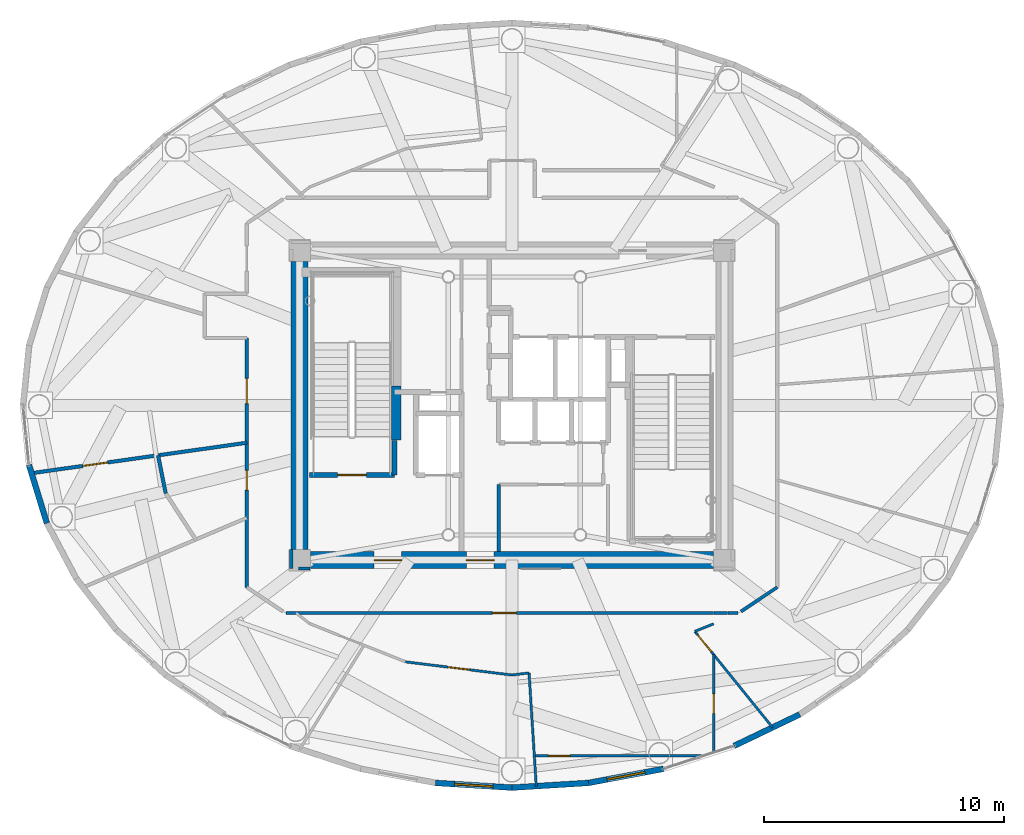
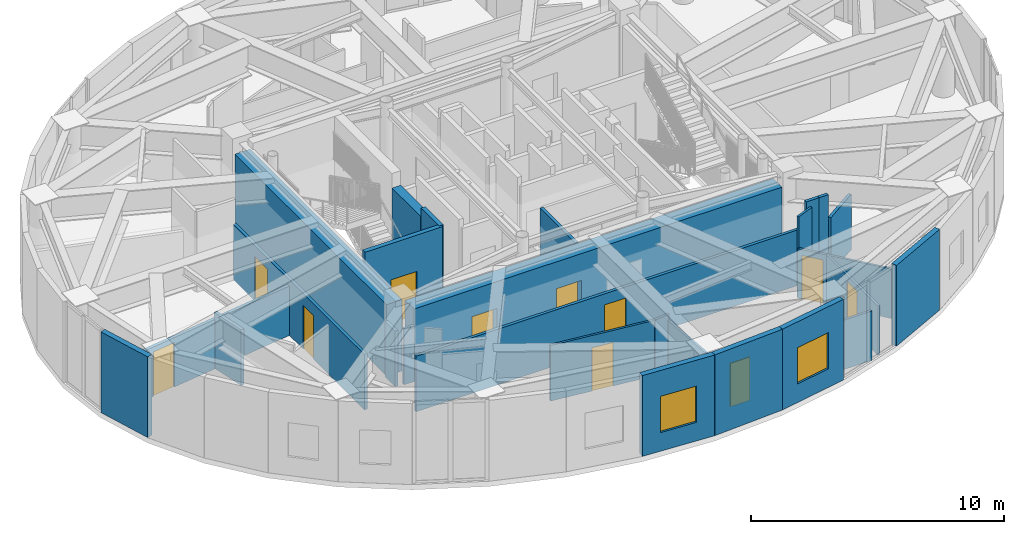
# One storey, part 14 of 23: 27 walls, 11 doors, 2 windows, 13 openings.
"""IFC4 building model written with IfcOpenShell, lengths in metres."""

from ifc_helpers import new_model, si_unit, direction, frame, frame_2d, origin, origin_2d, place, context, subcontext, project, spatial, rectangle, extrude, source, transform, mapped, material, layer, layer_set, type_object, element, fill, save


model = new_model("IFC4")

# Units and contexts
model_context = context("Model", 3, precision=1e-05, world=origin(), true_north=direction((0.0, 1.0)))
body_context = subcontext(model_context, "Body", "Model", "MODEL_VIEW")
ifc_project = project(units=[si_unit("LENGTHUNIT", "METRE"), si_unit("AREAUNIT", "SQUARE_METRE"), si_unit("VOLUMEUNIT", "CUBIC_METRE"), si_unit("PLANEANGLEUNIT", "RADIAN"), si_unit("MASSUNIT", "GRAM", prefix="KILO")], contexts=[model_context])

# Site, building, storey
site_placement = place(None, origin())
site = spatial("IfcSite", under=ifc_project, at=site_placement, CompositionType="ELEMENT")
building_placement = place(site_placement, origin())
building = spatial("IfcBuilding", under=site, at=building_placement, Name="Linh Dai School and Residence Tower", CompositionType="ELEMENT")
storey_placement = place(building_placement, frame((0.0, 0.0, 359.39990234375)))
storey = spatial("IfcBuildingStorey", under=building, at=storey_placement, Name="L89", CompositionType="ELEMENT", Elevation=359.39990234375)

# Wall
ifc_material_1 = material(Name="Precast Concrete B45 (C35/45)", Category="concrete")
ifc_layer_1 = layer(ifc_material_1, 0.239990234375)
ifc_layer_set_1 = layer_set([ifc_layer_1], Name="Precast Concrete B45 (C35/45)")
wall_type_1 = type_object("IfcWallType", Name="EW-TC-240", PredefinedType="SOLIDWALL", material=ifc_layer_set_1)
wall_1_placement = place(storey_placement, frame((16.618896484375, 22.086669921875, 0.0), z_axis=(0.0, 0.0, 1.0), x_axis=(-0.293105547213, 0.956080089842, 0.0)))
element("IfcWall", 1, at=wall_1_placement, inside=storey, type_object=wall_type_1, Name="L89 Terracotta Exterior Wall 22", PredefinedType="SOLIDWALL", context=body_context, shape_type="SweptSolid", body=[
    extrude(rectangle(XDim=2.5380859375, YDim=0.239990234375, at=frame_2d((1.26904296875, 0.0))), origin(), (0.0, 0.0, 1.0), 3.900146484375),
])

# Wall, opening, window
wall_2_placement = place(storey_placement, frame((36.0, 11.070068359375, 0.0), z_axis=(0.0, 0.0, 1.0), x_axis=(-0.998109204399, 0.061465568355, 0.0)))
wall_2 = element("IfcWall", 2, at=wall_2_placement, inside=storey, type_object=wall_type_1, Name="L89 Terracotta Exterior Wall 30", PredefinedType="SOLIDWALL", context=body_context, shape_type="SweptSolid", body=[
    extrude(rectangle(XDim=3.197509765625, YDim=0.239990234375, at=frame_2d((1.5986328125, 0.0))), origin(), (0.0, 0.0, 1.0), 3.900146484375),
])
opening_1_placement = place(wall_2_placement, frame((0.798828125, 0.0, 0.89990234375)))
opening_1 = element("IfcOpeningElement", 3, at=opening_1_placement, cuts=wall_2, Name="Opening W2", PredefinedType="OPENING", context=body_context, shape_type="SweptSolid", body=[
    extrude(rectangle(XDim=1.60009765625, YDim=1.75, at=origin_2d()), frame((0.800048828125, 0.1298828125, 0.875), z_axis=(0.0, -1.0, 0.0), x_axis=(1.0, 0.0, 0.0)), (0.0, 0.0, 1.0), 0.260009765625),
])
ifc_material_2 = material(Name="Double Low-E Insulated Glazing", Category="glass")
window_type = type_object("IfcWindowType", Name="WN-RES-1600x1750", PartitioningType="DOUBLE_PANEL_VERTICAL", PredefinedType="WINDOW", material=ifc_material_2)
shared_shape_1 = source(origin(), body_context, "Body", "SweptSolid", [
    extrude(rectangle(XDim=1.60009765625, YDim=1.75, at=origin_2d()), frame((0.800048828125, 0.030029296875, 0.875), z_axis=(0.0, -1.0, 0.0), x_axis=(1.0, 0.0, 0.0)), (0.0, 0.0, 1.0), 0.06005859375),
])
window_1_placement = place(opening_1_placement, origin())
window_1 = element("IfcWindow", 4, at=window_1_placement, inside=storey, type_object=window_type, Name="L89 Exterior Window 30.1", OverallHeight=1.75, OverallWidth=1.60009765625, PartitioningType="DOUBLE_PANEL_VERTICAL", PredefinedType="WINDOW", context=body_context, shape_type="MappedRepresentation", body=[
    mapped(shared_shape_1, transform((0.0, 0.0, 0.0), x_axis=(1.0, 0.0, 0.0), y_axis=(0.0, 1.0, 0.0), z_axis=(0.0, 0.0, 1.0), scale=1.0)),
])
fill(opening_1, window_1)

# Wall
wall_3_placement = place(storey_placement, frame((39.19140625, 11.2666015625, 0.0), z_axis=(0.0, 0.0, 1.0), x_axis=(-0.998109204399, -0.061465568355, 0.0)))
element("IfcWall", 5, at=wall_3_placement, inside=storey, type_object=wall_type_1, Name="L89 Terracotta Exterior Wall 31", PredefinedType="SOLIDWALL", context=body_context, shape_type="SweptSolid", body=[
    extrude(rectangle(XDim=3.197509765625, YDim=0.239990234375, at=frame_2d((1.5986328125, 0.0))), origin(), (0.0, 0.0, 1.0), 3.900146484375),
])

# Wall, opening, window
wall_4_placement = place(storey_placement, frame((42.303955078125, 11.85205078125, 0.0), z_axis=(0.0, 0.0, 1.0), x_axis=(-0.98276643264, -0.184851667226, 0.0)))
wall_4 = element("IfcWall", 6, at=wall_4_placement, inside=storey, type_object=wall_type_1, Name="L89 Terracotta Exterior Wall 32", PredefinedType="SOLIDWALL", context=body_context, shape_type="SweptSolid", body=[
    extrude(rectangle(XDim=3.167236328125, YDim=0.239990234375, at=frame_2d((1.58349609375, 0.0))), origin(), (0.0, 0.0, 1.0), 3.900146484375),
])
opening_2_placement = place(wall_4_placement, frame((0.78369140625, 0.0, 0.89990234375)))
opening_2 = element("IfcOpeningElement", 7, at=opening_2_placement, cuts=wall_4, Name="Opening W2", PredefinedType="OPENING", context=body_context, shape_type="SweptSolid", body=[
    extrude(rectangle(XDim=1.60009765625, YDim=1.75, at=origin_2d()), frame((0.800048828125, 0.1298828125, 0.875), z_axis=(0.0, -1.0, 0.0), x_axis=(1.0, 0.0, 0.0)), (0.0, 0.0, 1.0), 0.260009765625),
])
window_2_placement = place(opening_2_placement, origin())
window_2 = element("IfcWindow", 8, at=window_2_placement, inside=storey, type_object=window_type, Name="L89 Exterior Window 32.1", OverallHeight=1.75, OverallWidth=1.60009765625, PartitioningType="DOUBLE_PANEL_VERTICAL", PredefinedType="WINDOW", context=body_context, shape_type="MappedRepresentation", body=[
    mapped(shared_shape_1, transform((0.0, 0.0, 0.0), x_axis=(1.0, 0.0, 0.0), y_axis=(0.0, 1.0, 0.0), z_axis=(0.0, 0.0, 1.0), scale=1.0)),
])
fill(opening_2, window_2)

# Wall
wall_5_placement = place(storey_placement, frame((47.98779296875, 14.119873046875, 0.0), z_axis=(0.0, 0.0, 1.0), x_axis=(-0.901557057889, -0.432660226241, 0.0)))
element("IfcWall", 9, at=wall_5_placement, inside=storey, type_object=wall_type_1, Name="L89 Terracotta Exterior Wall 34", PredefinedType="SOLIDWALL", context=body_context, shape_type="SweptSolid", body=[
    extrude(rectangle(XDim=3.025146484375, YDim=0.239990234375, at=frame_2d((1.5126953125, 0.0))), origin(), (0.0, 0.0, 1.0), 3.900146484375),
])

# Wall, openings, doors
ifc_material_3 = material(Name="Autoclaved Aerated Concrete Blockwork", Category="masonry")
ifc_layer_2 = layer(ifc_material_3, 0.135009765625)
ifc_layer_set_2 = layer_set([ifc_layer_2], Name="Autoclaved Aerated Concrete Blockwork")
wall_type_2 = type_object("IfcWallType", Name="IW-CORR-135-EI90", PredefinedType="PARTITIONING", material=ifc_layer_set_2)
wall_6_placement = place(storey_placement, frame((24.949951171875, 19.41748046875, 0.0), z_axis=(0.0, 0.0, 1.0), x_axis=(0.0, 1.0, 0.0)))
wall_6 = element("IfcWall", 10, at=wall_6_placement, inside=storey, type_object=wall_type_2, Name="L89 Interior Partition Wall 010", PredefinedType="PARTITIONING", context=body_context, shape_type="SweptSolid", body=[
    extrude(rectangle(XDim=10.382568359375, YDim=0.135009765625, at=frame_2d((5.19140625, 0.0))), origin(), (0.0, 0.0, 1.0), 2.68505859375),
])
opening_3_placement = place(wall_6_placement, frame((7.6572265625, 0.0, 0.0)))
opening_3 = element("IfcOpeningElement", 11, at=opening_3_placement, cuts=wall_6, Name="Opening D04", PredefinedType="OPENING", context=body_context, shape_type="SweptSolid", body=[
    extrude(rectangle(XDim=1.050048828125, YDim=2.14990234375, at=origin_2d()), frame((0.52490234375, 0.07763671875, 1.074951171875), z_axis=(0.0, -1.0, 0.0), x_axis=(1.0, 0.0, 0.0)), (0.0, 0.0, 1.0), 0.155029296875),
])
opening_4_placement = place(wall_6_placement, frame((4.047119140625, 0.0, 0.0)))
opening_4 = element("IfcOpeningElement", 12, at=opening_4_placement, cuts=wall_6, Name="Opening D06", PredefinedType="OPENING", context=body_context, shape_type="SweptSolid", body=[
    extrude(rectangle(XDim=0.820068359375, YDim=2.10009765625, at=origin_2d()), frame((0.41015625, 0.07763671875, 1.050048828125), z_axis=(0.0, -1.0, 0.0), x_axis=(1.0, 0.0, 0.0)), (0.0, 0.0, 1.0), 0.155029296875),
])
ifc_material_4 = material(Name="Acoustic Vision-Panel Timber Classroom Door", Category="wood")
door_type_1 = type_object("IfcDoorType", Name="DR-SCH-1050x2150-FD60S", OperationType="NOTDEFINED", PredefinedType="DOOR", material=ifc_material_4)
shared_shape_2 = source(origin(), body_context, "Body", "SweptSolid", [
    extrude(rectangle(XDim=1.050048828125, YDim=2.14990234375, at=origin_2d()), frame((0.52490234375, 0.02490234375, 1.074951171875), z_axis=(0.0, -1.0, 0.0), x_axis=(1.0, 0.0, 0.0)), (0.0, 0.0, 1.0), 0.050048828125),
])
door_1_placement = place(opening_3_placement, origin())
door_1 = element("IfcDoor", 13, at=door_1_placement, inside=storey, type_object=door_type_1, Name="L89 Crown Sky Wintergarden Lounge Reading Room Door", OperationType="SINGLE_SWING_LEFT", OverallHeight=2.14990234375, OverallWidth=1.050048828125, PredefinedType="DOOR", context=body_context, shape_type="MappedRepresentation", body=[
    mapped(shared_shape_2, transform((0.0, 0.0, 0.0), x_axis=(1.0, 0.0, 0.0), y_axis=(0.0, 1.0, 0.0), z_axis=(0.0, 0.0, 1.0), scale=1.0)),
])
fill(opening_3, door_1)
ifc_material_5 = material(Name="Moisture-Resistant Timber Bathroom Door", Category="wood")
door_type_2 = type_object("IfcDoorType", Name="DR-WET-820x2100", OperationType="NOTDEFINED", PredefinedType="DOOR", material=ifc_material_5)
shared_shape_3 = source(origin(), body_context, "Body", "SweptSolid", [
    extrude(rectangle(XDim=0.820068359375, YDim=2.10009765625, at=origin_2d()), frame((0.41015625, 0.02490234375, 1.050048828125), z_axis=(0.0, -1.0, 0.0), x_axis=(1.0, 0.0, 0.0)), (0.0, 0.0, 1.0), 0.050048828125),
])
door_2_placement = place(opening_4_placement, origin())
door_2 = element("IfcDoor", 14, at=door_2_placement, inside=storey, type_object=door_type_2, Name="L89 Amenity Accessible WC Door", OperationType="SINGLE_SWING_RIGHT", OverallHeight=2.10009765625, OverallWidth=0.820068359375, PredefinedType="DOOR", context=body_context, shape_type="MappedRepresentation", body=[
    mapped(shared_shape_3, transform((0.0, 0.0, 0.0), x_axis=(1.0, 0.0, 0.0), y_axis=(0.0, 1.0, 0.0), z_axis=(0.0, 0.0, 1.0), scale=1.0)),
])
fill(opening_4, door_2)

# Wall, opening, door
wall_7_placement = place(storey_placement, frame((26.580078125, 18.35009765625, 0.0), z_axis=(0.0, 0.0, 1.0), x_axis=(1.0, 0.0, 0.0)))
wall_7 = element("IfcWall", 15, at=wall_7_placement, inside=storey, type_object=wall_type_2, Name="L89 Interior Partition Wall 014", PredefinedType="PARTITIONING", context=body_context, shape_type="SweptSolid", body=[
    extrude(rectangle(XDim=17.8232421875, YDim=0.135009765625, at=frame_2d((8.91162109375, 0.0))), origin(), (0.0, 0.0, 1.0), 2.68505859375),
])
opening_5_placement = place(wall_7_placement, frame((8.60205078125, 0.0, 0.0)))
opening_5 = element("IfcOpeningElement", 16, at=opening_5_placement, cuts=wall_7, Name="Opening D03", PredefinedType="OPENING", context=body_context, shape_type="SweptSolid", body=[
    extrude(rectangle(XDim=1.0, YDim=2.14990234375, at=origin_2d()), frame((0.5, 0.07763671875, 1.074951171875), z_axis=(0.0, -1.0, 0.0), x_axis=(1.0, 0.0, 0.0)), (0.0, 0.0, 1.0), 0.155029296875),
])
ifc_material_6 = material(Name="Fire-Rated Solid Timber Entrance Door", Category="wood")
door_type_3 = type_object("IfcDoorType", Name="DR-FLAT-1000x2150-FD60S", OperationType="NOTDEFINED", PredefinedType="DOOR", material=ifc_material_6)
shared_shape_4 = source(origin(), body_context, "Body", "SweptSolid", [
    extrude(rectangle(XDim=1.0, YDim=2.14990234375, at=origin_2d()), frame((0.5, 0.02490234375, 1.074951171875), z_axis=(0.0, -1.0, 0.0), x_axis=(1.0, 0.0, 0.0)), (0.0, 0.0, 1.0), 0.050048828125),
])
door_3_placement = place(opening_5_placement, origin())
door_3 = element("IfcDoor", 17, at=door_3_placement, inside=storey, type_object=door_type_3, Name="L89 U8901 Apartment Entrance Door", OperationType="SINGLE_SWING_RIGHT", OverallHeight=2.14990234375, OverallWidth=1.0, PredefinedType="DOOR", context=body_context, shape_type="MappedRepresentation", body=[
    mapped(shared_shape_4, transform((0.0, 0.0, 0.0), x_axis=(1.0, 0.0, 0.0), y_axis=(0.0, 1.0, 0.0), z_axis=(0.0, 0.0, 1.0), scale=1.0)),
])
fill(opening_5, door_3)

# Walls
wall_8_placement = place(storey_placement, frame((35.449951171875, 20.89990234375, 0.0), z_axis=(0.0, 0.0, 1.0), x_axis=(0.0, 1.0, 0.0)))
element("IfcWall", 18, at=wall_8_placement, inside=storey, type_object=wall_type_2, Name="L89 Interior Partition Wall 042", PredefinedType="PARTITIONING", context=body_context, shape_type="SweptSolid", body=[
    extrude(rectangle(XDim=2.800048828125, YDim=0.135009765625, at=frame_2d((1.39990234375, 0.0))), origin(), (0.0, 0.0, 1.0), 3.485107421875),
])
wall_9_placement = place(storey_placement, frame((44.999267578125, 18.35009765625, 0.0), z_axis=(0.0, 0.0, 1.0), x_axis=(1.0, 0.0, 0.0)))
element("IfcWall", 19, at=wall_9_placement, inside=storey, type_object=wall_type_2, Name="L89 Interior Partition Wall 066", PredefinedType="PARTITIONING", context=body_context, shape_type="SweptSolid", body=[
    extrude(rectangle(XDim=0.420654296875, YDim=0.135009765625, at=frame_2d((0.21044921875, 0.0))), origin(), (0.0, 0.0, 1.0), 3.900146484375),
])
wall_10_placement = place(storey_placement, frame((45.541259765625, 18.408203125, 0.0), z_axis=(0.0, 0.0, 1.0), x_axis=(0.831180227396, 0.556003084151, 0.0)))
element("IfcWall", 20, at=wall_10_placement, inside=storey, type_object=wall_type_2, Name="L89 Interior Partition Wall 068", PredefinedType="PARTITIONING", context=body_context, shape_type="SweptSolid", body=[
    extrude(rectangle(XDim=1.815185546875, YDim=0.135009765625, at=frame_2d((0.90771484375, 0.0))), origin(), (0.0, 0.0, 1.0), 2.68505859375),
])
wall_11_placement = place(storey_placement, frame((44.9892578125, 18.35009765625, 0.0), z_axis=(0.0, 0.0, 1.0), x_axis=(-1.0, 0.0, 0.0)))
element("IfcWall", 21, at=wall_11_placement, inside=storey, type_object=wall_type_2, Name="L89 Interior Partition Wall 078", PredefinedType="PARTITIONING", context=body_context, shape_type="SweptSolid", body=[
    extrude(rectangle(XDim=0.575927734375, YDim=0.135009765625, at=frame_2d((0.2880859375, 0.0))), origin(), (0.0, 0.0, 1.0), 3.900146484375),
])
wall_12_placement = place(storey_placement, frame((26.800048828125, 20.989990234375, 0.0), z_axis=(0.0, 0.0, 1.0), x_axis=(0.0, -1.0, 0.0)))
element("IfcWall", 22, at=wall_12_placement, inside=storey, type_object=wall_type_2, Name="L89 Interior Partition Wall 082", PredefinedType="PARTITIONING", context=body_context, shape_type="SweptSolid", body=[
    extrude(rectangle(XDim=0.7900390625, YDim=0.135009765625, at=frame_2d((0.39501953125, 0.0))), origin(), (0.0, 0.0, 1.0), 2.68505859375),
])
wall_13_placement = place(storey_placement, frame((27.107421875, 20.199951171875, 0.0), z_axis=(0.0, 0.0, 1.0), x_axis=(1.0, 0.0, 0.0)))
element("IfcWall", 23, at=wall_13_placement, inside=storey, type_object=wall_type_2, Name="L89 Interior Partition Wall 083", PredefinedType="PARTITIONING", context=body_context, shape_type="SweptSolid", body=[
    extrude(rectangle(XDim=0.482666015625, YDim=0.135009765625, at=frame_2d((0.2412109375, 0.0))), origin(), (0.0, 0.0, 1.0), 2.68505859375),
])

# Wall, opening, door
ifc_layer_3 = layer(ifc_material_3, 0.14990234375)
ifc_layer_set_3 = layer_set([ifc_layer_3], Name="Autoclaved Aerated Concrete Blockwork")
wall_type_3 = type_object("IfcWallType", Name="IW-SCH-150-EI60", PredefinedType="PARTITIONING", material=ifc_layer_set_3)
wall_14_placement = place(storey_placement, frame((15.974609375, 24.17138671875, 0.0), z_axis=(0.0, 0.0, 1.0), x_axis=(0.990170209823, 0.139867635928, 0.0)))
wall_14 = element("IfcWall", 24, at=wall_14_placement, inside=storey, type_object=wall_type_3, Name="L89 Interior Partition Wall 001", PredefinedType="PARTITIONING", context=body_context, shape_type="SweptSolid", body=[
    extrude(rectangle(XDim=9.064453125, YDim=0.14990234375, at=frame_2d((4.5322265625, 0.0))), origin(), (0.0, 0.0, 1.0), 2.385009765625),
])
opening_6_placement = place(wall_14_placement, frame((2.15966796875, 0.0, 0.0)))
opening_6 = element("IfcOpeningElement", 25, at=opening_6_placement, cuts=wall_14, Name="Opening D04", PredefinedType="OPENING", context=body_context, shape_type="SweptSolid", body=[
    extrude(rectangle(XDim=1.050048828125, YDim=2.14990234375, at=origin_2d()), frame((0.52490234375, 0.0849609375, 1.074951171875), z_axis=(0.0, -1.0, 0.0), x_axis=(1.0, 0.0, 0.0)), (0.0, 0.0, 1.0), 0.169921875),
])
door_4_placement = place(opening_6_placement, origin())
door_4 = element("IfcDoor", 26, at=door_4_placement, inside=storey, type_object=door_type_1, Name="L89 Amenity Tea Salon Door", OperationType="SINGLE_SWING_LEFT", OverallHeight=2.14990234375, OverallWidth=1.050048828125, PredefinedType="DOOR", context=body_context, shape_type="MappedRepresentation", body=[
    mapped(shared_shape_2, transform((0.0, 0.0, 0.0), x_axis=(1.0, 0.0, 0.0), y_axis=(0.0, 1.0, 0.0), z_axis=(0.0, 0.0, 1.0), scale=1.0)),
])
fill(opening_6, door_4)

# Wall
wall_15_placement = place(storey_placement, frame((21.251220703125, 24.916748046875, 0.0), z_axis=(0.0, 0.0, 1.0), x_axis=(0.19828885672, -0.980143626873, 0.0)))
element("IfcWall", 27, at=wall_15_placement, inside=storey, type_object=wall_type_3, Name="L89 Interior Partition Wall 004", PredefinedType="PARTITIONING", context=body_context, shape_type="SweptSolid", body=[
    extrude(rectangle(XDim=1.620361328125, YDim=0.14990234375, at=frame_2d((0.81005859375, 0.0))), origin(), (0.0, 0.0, 1.0), 2.68505859375),
])

# Wall, opening, door
ifc_material_7 = material(Name="Concrete B45 (C35/45)", Category="concrete")
ifc_layer_4 = layer(ifc_material_7, 0.199951171875)
ifc_layer_set_4 = layer_set([ifc_layer_4], Name="Concrete B45 (C35/45)")
wall_type_4 = type_object("IfcWallType", Name="IW-SHAFT-200-EI120", PredefinedType="PARTITIONING", material=ifc_layer_set_4)
wall_16_placement = place(storey_placement, frame((27.56005859375, 24.10009765625, 0.0), z_axis=(0.0, 0.0, 1.0), x_axis=(1.0, 0.0, 0.0)))
wall_16 = element("IfcWall", 28, at=wall_16_placement, inside=storey, type_object=wall_type_4, Name="L89 Interior Partition Wall 019", PredefinedType="PARTITIONING", context=body_context, shape_type="SweptSolid", body=[
    extrude(rectangle(XDim=3.5400390625, YDim=0.199951171875, at=frame_2d((1.77001953125, 0.0))), origin(), (0.0, 0.0, 1.0), 3.900146484375),
])
opening_7_placement = place(wall_16_placement, frame((1.169921875, 0.0, 0.0)))
opening_7 = element("IfcOpeningElement", 29, at=opening_7_placement, cuts=wall_16, Name="Opening D01", PredefinedType="OPENING", context=body_context, shape_type="SweptSolid", body=[
    extrude(rectangle(XDim=1.199951171875, YDim=2.14990234375, at=origin_2d()), frame((0.60009765625, 0.10986328125, 1.074951171875), z_axis=(0.0, -1.0, 0.0), x_axis=(1.0, 0.0, 0.0)), (0.0, 0.0, 1.0), 0.219970703125),
])
ifc_material_8 = material(Name="Fire-Rated Steel Door Leaf", Category="steel")
door_type_4 = type_object("IfcDoorType", Name="DR-STAIR-1200x2150-FD90S", OperationType="NOTDEFINED", PredefinedType="DOOR", material=ifc_material_8)
shared_shape_5 = source(origin(), body_context, "Body", "SweptSolid", [
    extrude(rectangle(XDim=1.199951171875, YDim=2.14990234375, at=origin_2d()), frame((0.60009765625, 0.02490234375, 1.074951171875), z_axis=(0.0, -1.0, 0.0), x_axis=(1.0, 0.0, 0.0)), (0.0, 0.0, 1.0), 0.050048828125),
])
door_5_placement = place(opening_7_placement, origin())
door_5 = element("IfcDoor", 30, at=door_5_placement, inside=storey, type_object=door_type_4, Name="L89 Core Smokeproof Exit Stair ST1 Door", OperationType="SINGLE_SWING_RIGHT", OverallHeight=2.14990234375, OverallWidth=1.199951171875, PredefinedType="DOOR", context=body_context, shape_type="MappedRepresentation", body=[
    mapped(shared_shape_5, transform((0.0, 0.0, 0.0), x_axis=(1.0, 0.0, 0.0), y_axis=(0.0, 1.0, 0.0), z_axis=(0.0, 0.0, 1.0), scale=1.0)),
])
fill(opening_7, door_5)

# Wall
wall_17_placement = place(storey_placement, frame((31.10009765625, 24.10009765625, 0.0), z_axis=(0.0, 0.0, 1.0), x_axis=(0.0, 1.0, 0.0)))
element("IfcWall", 31, at=wall_17_placement, inside=storey, type_object=wall_type_4, Name="L89 Interior Partition Wall 024", PredefinedType="PARTITIONING", context=body_context, shape_type="SweptSolid", body=[
    extrude(rectangle(XDim=1.43994140625, YDim=0.199951171875, at=frame_2d((0.719970703125, 0.0))), origin(), (0.0, 0.0, 1.0), 3.900146484375),
])

# Wall, opening, door
ifc_material_9 = material(Name="Gypsum Plasterboard Acoustic Stud Partition", Category="masonry")
ifc_layer_5 = layer(ifc_material_9, 0.10009765625)
ifc_layer_set_5 = layer_set([ifc_layer_5], Name="Gypsum Plasterboard Acoustic Stud Partition")
wall_type_5 = type_object("IfcWallType", Name="IW-UNIT-100", PredefinedType="PARTITIONING", material=ifc_layer_set_5)
wall_18_placement = place(storey_placement, frame((31.565673828125, 16.3115234375, 0.0), z_axis=(0.0, 0.0, 1.0), x_axis=(0.992394278216, -0.123099945429, 0.0)))
wall_18 = element("IfcWall", 32, at=wall_18_placement, inside=storey, type_object=wall_type_5, Name="L89 Interior Partition Wall 026", PredefinedType="PARTITIONING", context=body_context, shape_type="SweptSolid", body=[
    extrude(rectangle(XDim=4.46826171875, YDim=0.10009765625, at=frame_2d((2.234130859375, 0.0))), origin(), (0.0, 0.0, 1.0), 2.68505859375),
])
opening_8_placement = place(wall_18_placement, frame((1.7841796875, 0.0, 0.0)))
opening_8 = element("IfcOpeningElement", 33, at=opening_8_placement, cuts=wall_18, Name="Opening D05", PredefinedType="OPENING", context=body_context, shape_type="SweptSolid", body=[
    extrude(rectangle(XDim=0.89990234375, YDim=2.10009765625, at=origin_2d()), frame((0.449951171875, 0.06005859375, 1.050048828125), z_axis=(0.0, -1.0, 0.0), x_axis=(1.0, 0.0, 0.0)), (0.0, 0.0, 1.0), 0.1201171875),
])
ifc_material_10 = material(Name="Engineered Timber Internal Door", Category="wood")
door_type_5 = type_object("IfcDoorType", Name="DR-INT-900x2100", OperationType="NOTDEFINED", PredefinedType="DOOR", material=ifc_material_10)
shared_shape_6 = source(origin(), body_context, "Body", "SweptSolid", [
    extrude(rectangle(XDim=0.89990234375, YDim=2.10009765625, at=origin_2d()), frame((0.449951171875, 0.02490234375, 1.050048828125), z_axis=(0.0, -1.0, 0.0), x_axis=(1.0, 0.0, 0.0)), (0.0, 0.0, 1.0), 0.050048828125),
])
door_6_placement = place(opening_8_placement, origin())
door_6 = element("IfcDoor", 34, at=door_6_placement, inside=storey, type_object=door_type_5, Name="L89 Apartment U8901 Principal Bedroom 2 Door", OperationType="SINGLE_SWING_RIGHT", OverallHeight=2.10009765625, OverallWidth=0.89990234375, PredefinedType="DOOR", context=body_context, shape_type="MappedRepresentation", body=[
    mapped(shared_shape_6, transform((0.0, 0.0, 0.0), x_axis=(1.0, 0.0, 0.0), y_axis=(0.0, 1.0, 0.0), z_axis=(0.0, 0.0, 1.0), scale=1.0)),
])
fill(opening_8, door_6)

# Walls
wall_19_placement = place(storey_placement, frame((36.0, 15.761474609375, 0.0), z_axis=(0.0, 0.0, 1.0), x_axis=(0.992392872085, 0.123111280695, 0.0)))
element("IfcWall", 35, at=wall_19_placement, inside=storey, type_object=wall_type_5, Name="L89 Interior Partition Wall 048", PredefinedType="PARTITIONING", context=body_context, shape_type="SweptSolid", body=[
    extrude(rectangle(XDim=0.7158203125, YDim=0.10009765625, at=frame_2d((0.35791015625, 0.0))), origin(), (0.0, 0.0, 1.0), 2.68505859375),
])
wall_20_placement = place(storey_placement, frame((36.71044921875, 15.849609375, 0.0), z_axis=(0.0, 0.0, 1.0), x_axis=(0.063566766026, -0.997977588053, 0.0)))
element("IfcWall", 36, at=wall_20_placement, inside=storey, type_object=wall_type_5, Name="L89 Interior Partition Wall 049", PredefinedType="PARTITIONING", context=body_context, shape_type="SweptSolid", body=[
    extrude(rectangle(XDim=4.731689453125, YDim=0.10009765625, at=frame_2d((2.36572265625, 0.0))), origin(), (0.0, 0.0, 1.0), 2.385009765625),
])

# Wall, opening, door
wall_21_placement = place(storey_placement, frame((36.9306640625, 12.391845703125, 0.0), z_axis=(0.0, 0.0, 1.0), x_axis=(1.0, 0.0, 0.0)))
wall_21 = element("IfcWall", 37, at=wall_21_placement, inside=storey, type_object=wall_type_5, Name="L89 Interior Partition Wall 050", PredefinedType="PARTITIONING", context=body_context, shape_type="SweptSolid", body=[
    extrude(rectangle(XDim=7.053466796875, YDim=0.10009765625, at=frame_2d((3.52685546875, 0.0))), origin(), (0.0, 0.0, 1.0), 2.385009765625),
])
opening_9_placement = place(wall_21_placement, frame((0.593017578125, 0.0, 0.0)))
opening_9 = element("IfcOpeningElement", 38, at=opening_9_placement, cuts=wall_21, Name="Opening D05", PredefinedType="OPENING", context=body_context, shape_type="SweptSolid", body=[
    extrude(rectangle(XDim=0.89990234375, YDim=2.10009765625, at=origin_2d()), frame((0.449951171875, 0.06005859375, 1.050048828125), z_axis=(0.0, -1.0, 0.0), x_axis=(1.0, 0.0, 0.0)), (0.0, 0.0, 1.0), 0.1201171875),
])
door_7_placement = place(opening_9_placement, origin())
door_7 = element("IfcDoor", 39, at=door_7_placement, inside=storey, type_object=door_type_5, Name="L89 Apartment U8901 Kitchen Door", OperationType="SINGLE_SWING_LEFT", OverallHeight=2.10009765625, OverallWidth=0.89990234375, PredefinedType="DOOR", context=body_context, shape_type="MappedRepresentation", body=[
    mapped(shared_shape_6, transform((0.0, 0.0, 0.0), x_axis=(1.0, 0.0, 0.0), y_axis=(0.0, 1.0, 0.0), z_axis=(0.0, 0.0, 1.0), scale=1.0)),
])
fill(opening_9, door_7)

# Wall
wall_22_placement = place(storey_placement, frame((43.617919921875, 17.581787109375, 0.0), z_axis=(0.0, 0.0, 1.0), x_axis=(0.92875517638, 0.370693704219, 0.0)))
element("IfcWall", 40, at=wall_22_placement, inside=storey, type_object=wall_type_5, Name="L89 Interior Partition Wall 063", PredefinedType="PARTITIONING", context=body_context, shape_type="SweptSolid", body=[
    extrude(rectangle(XDim=0.845703125, YDim=0.10009765625, at=frame_2d((0.4228515625, 0.0))), origin(), (0.0, 0.0, 1.0), 3.900146484375),
])

# Wall, opening, door
wall_23_placement = place(storey_placement, frame((43.617919921875, 17.581787109375, 0.0), z_axis=(0.0, 0.0, 1.0), x_axis=(0.628895770236, -0.777489620624, 0.0)))
wall_23 = element("IfcWall", 41, at=wall_23_placement, inside=storey, type_object=wall_type_5, Name="L89 Interior Partition Wall 064", PredefinedType="PARTITIONING", context=body_context, shape_type="SweptSolid", body=[
    extrude(rectangle(XDim=5.15576171875, YDim=0.10009765625, at=frame_2d((2.577880859375, 0.0))), origin(), (0.0, 0.0, 1.0), 2.385009765625),
])
opening_10_placement = place(wall_23_placement, frame((0.194580078125, 0.0, 0.0)))
opening_10 = element("IfcOpeningElement", 42, at=opening_10_placement, cuts=wall_23, Name="Opening D05", PredefinedType="OPENING", context=body_context, shape_type="SweptSolid", body=[
    extrude(rectangle(XDim=0.89990234375, YDim=2.10009765625, at=origin_2d()), frame((0.449951171875, 0.06005859375, 1.050048828125), z_axis=(0.0, -1.0, 0.0), x_axis=(1.0, 0.0, 0.0)), (0.0, 0.0, 1.0), 0.1201171875),
])
door_8_placement = place(opening_10_placement, origin())
door_8 = element("IfcDoor", 43, at=door_8_placement, inside=storey, type_object=door_type_5, Name="L89 Apartment U8901 Principal Bedroom 3 Door", OperationType="SINGLE_SWING_LEFT", OverallHeight=2.10009765625, OverallWidth=0.89990234375, PredefinedType="DOOR", context=body_context, shape_type="MappedRepresentation", body=[
    mapped(shared_shape_6, transform((0.0, 0.0, 0.0), x_axis=(1.0, 0.0, 0.0), y_axis=(0.0, 1.0, 0.0), z_axis=(0.0, 0.0, 1.0), scale=1.0)),
])
fill(opening_10, door_8)

wall_24_placement = place(storey_placement, frame((44.4033203125, 12.527587890625, 0.0), z_axis=(0.0, 0.0, 1.0), x_axis=(0.0, 1.0, 0.0)))
wall_24 = element("IfcWall", 44, at=wall_24_placement, inside=storey, type_object=wall_type_5, Name="L89 Interior Partition Wall 065", PredefinedType="PARTITIONING", context=body_context, shape_type="SweptSolid", body=[
    extrude(rectangle(XDim=4.083251953125, YDim=0.10009765625, at=frame_2d((2.04150390625, 0.0))), origin(), (0.0, 0.0, 1.0), 2.385009765625),
])
opening_11_placement = place(wall_24_placement, frame((1.631591796875, 0.0, 0.0)))
opening_11 = element("IfcOpeningElement", 45, at=opening_11_placement, cuts=wall_24, Name="Opening D06", PredefinedType="OPENING", context=body_context, shape_type="SweptSolid", body=[
    extrude(rectangle(XDim=0.820068359375, YDim=2.10009765625, at=origin_2d()), frame((0.41015625, 0.06005859375, 1.050048828125), z_axis=(0.0, -1.0, 0.0), x_axis=(1.0, 0.0, 0.0)), (0.0, 0.0, 1.0), 0.1201171875),
])
door_9_placement = place(opening_11_placement, origin())
door_9 = element("IfcDoor", 46, at=door_9_placement, inside=storey, type_object=door_type_2, Name="L89 Apartment U8901 Bathroom 1 Door", OperationType="SINGLE_SWING_RIGHT", OverallHeight=2.10009765625, OverallWidth=0.820068359375, PredefinedType="DOOR", context=body_context, shape_type="MappedRepresentation", body=[
    mapped(shared_shape_3, transform((0.0, 0.0, 0.0), x_axis=(1.0, 0.0, 0.0), y_axis=(0.0, 1.0, 0.0), z_axis=(0.0, 0.0, 1.0), scale=1.0)),
])
fill(opening_11, door_9)

# Wall
ifc_layer_6 = layer(ifc_material_7, 0.39990234375)
ifc_layer_set_6 = layer_set([ifc_layer_6], Name="Concrete B45 (C35/45)")
wall_type_6 = type_object("IfcWallType", Name="WL-CORE400", PredefinedType="SHEAR", material=ifc_layer_set_6)
wall_25_placement = place(storey_placement, frame((31.179931640625, 25.550048828125, 0.0), z_axis=(0.0, 0.0, 1.0), x_axis=(0.0, 1.0, 0.0)))
element("IfcWall", 47, at=wall_25_placement, inside=storey, type_object=wall_type_6, Name="L89 Internal Core Shear Wall IW", PredefinedType="SHEAR", context=body_context, shape_type="SweptSolid", body=[
    extrude(rectangle(XDim=2.25, YDim=0.39990234375, at=frame_2d((1.125, 0.0))), origin(), (0.0, 0.0, 1.0), 3.5),
])

# Wall, openings, doors
ifc_layer_7 = layer(ifc_material_7, 0.699951171875)
ifc_layer_set_7 = layer_set([ifc_layer_7], Name="Concrete B45 (C35/45)")
wall_type_7 = type_object("IfcWallType", Name="WL-CORE700", PredefinedType="SHEAR", material=ifc_layer_set_7)
wall_26_placement = place(storey_placement, frame((44.39990234375, 20.550048828125, 0.0), z_axis=(0.0, 0.0, 1.0), x_axis=(-1.0, 0.0, 0.0)))
wall_26 = element("IfcWall", 48, at=wall_26_placement, inside=storey, type_object=wall_type_7, Name="L89 Central Core Shear Wall S", PredefinedType="SHEAR", context=body_context, shape_type="SweptSolid", body=[
    extrude(rectangle(XDim=16.7998046875, YDim=0.699951171875, at=frame_2d((8.39990234375, 0.0))), origin(), (0.0, 0.0, 1.0), 3.4501953125),
])
opening_12_placement = place(wall_26_placement, frame((13.0, 0.0, 0.0)))
opening_12 = element("IfcOpeningElement", 49, at=opening_12_placement, cuts=wall_26, Name="Opening D02", PredefinedType="OPENING", context=body_context, shape_type="SweptSolid", body=[
    extrude(rectangle(XDim=1.14990234375, YDim=2.14990234375, at=origin_2d()), frame((0.574951171875, 0.35986328125, 1.074951171875), z_axis=(0.0, -1.0, 0.0), x_axis=(1.0, 0.0, 0.0)), (0.0, 0.0, 1.0), 0.719970703125),
])
opening_13_placement = place(wall_26_placement, frame((9.14990234375, 0.0, 0.0)))
opening_13 = element("IfcOpeningElement", 50, at=opening_13_placement, cuts=wall_26, Name="Opening D02", PredefinedType="OPENING", context=body_context, shape_type="SweptSolid", body=[
    extrude(rectangle(XDim=1.14990234375, YDim=2.14990234375, at=origin_2d()), frame((0.574951171875, 0.35986328125, 1.074951171875), z_axis=(0.0, -1.0, 0.0), x_axis=(1.0, 0.0, 0.0)), (0.0, 0.0, 1.0), 0.719970703125),
])
ifc_material_11 = material(Name="Fire-Rated Glazed Steel Lobby Door", Category="steel")
door_type_6 = type_object("IfcDoorType", Name="DR-LOBBY-1150x2150-FD90S", OperationType="NOTDEFINED", PredefinedType="DOOR", material=ifc_material_11)
shared_shape_7 = source(origin(), body_context, "Body", "SweptSolid", [
    extrude(rectangle(XDim=1.14990234375, YDim=2.14990234375, at=origin_2d()), frame((0.574951171875, 0.02490234375, 1.074951171875), z_axis=(0.0, -1.0, 0.0), x_axis=(1.0, 0.0, 0.0)), (0.0, 0.0, 1.0), 0.050048828125),
])
door_10_placement = place(opening_12_placement, origin())
door_10 = element("IfcDoor", 51, at=door_10_placement, inside=storey, type_object=door_type_6, Name="L89 Firefighting Lobby Door", OperationType="SINGLE_SWING_LEFT", OverallHeight=2.14990234375, OverallWidth=1.14990234375, PredefinedType="DOOR", context=body_context, shape_type="MappedRepresentation", body=[
    mapped(shared_shape_7, transform((0.0, 0.0, 0.0), x_axis=(1.0, 0.0, 0.0), y_axis=(0.0, 1.0, 0.0), z_axis=(0.0, 0.0, 1.0), scale=1.0)),
])
fill(opening_12, door_10)
door_11_placement = place(opening_13_placement, origin())
door_11 = element("IfcDoor", 52, at=door_11_placement, inside=storey, type_object=door_type_6, Name="L89 Passenger Foyer Access Door", OperationType="SINGLE_SWING_LEFT", OverallHeight=2.14990234375, OverallWidth=1.14990234375, PredefinedType="DOOR", context=body_context, shape_type="MappedRepresentation", body=[
    mapped(shared_shape_7, transform((0.0, 0.0, 0.0), x_axis=(1.0, 0.0, 0.0), y_axis=(0.0, 1.0, 0.0), z_axis=(0.0, 0.0, 1.0), scale=1.0)),
])
fill(opening_13, door_11)

# Wall
wall_27_placement = place(storey_placement, frame((27.14990234375, 21.0, 0.0), z_axis=(0.0, 0.0, 1.0), x_axis=(0.0, 1.0, 0.0)))
element("IfcWall", 53, at=wall_27_placement, inside=storey, type_object=wall_type_7, Name="L89 Central Core Shear Wall W", PredefinedType="SHEAR", context=body_context, shape_type="SweptSolid", body=[
    extrude(rectangle(XDim=12.0, YDim=0.699951171875, at=frame_2d((6.0, 0.0))), origin(), (0.0, 0.0, 1.0), 3.4501953125),
])

save(model, "model.ifc")
